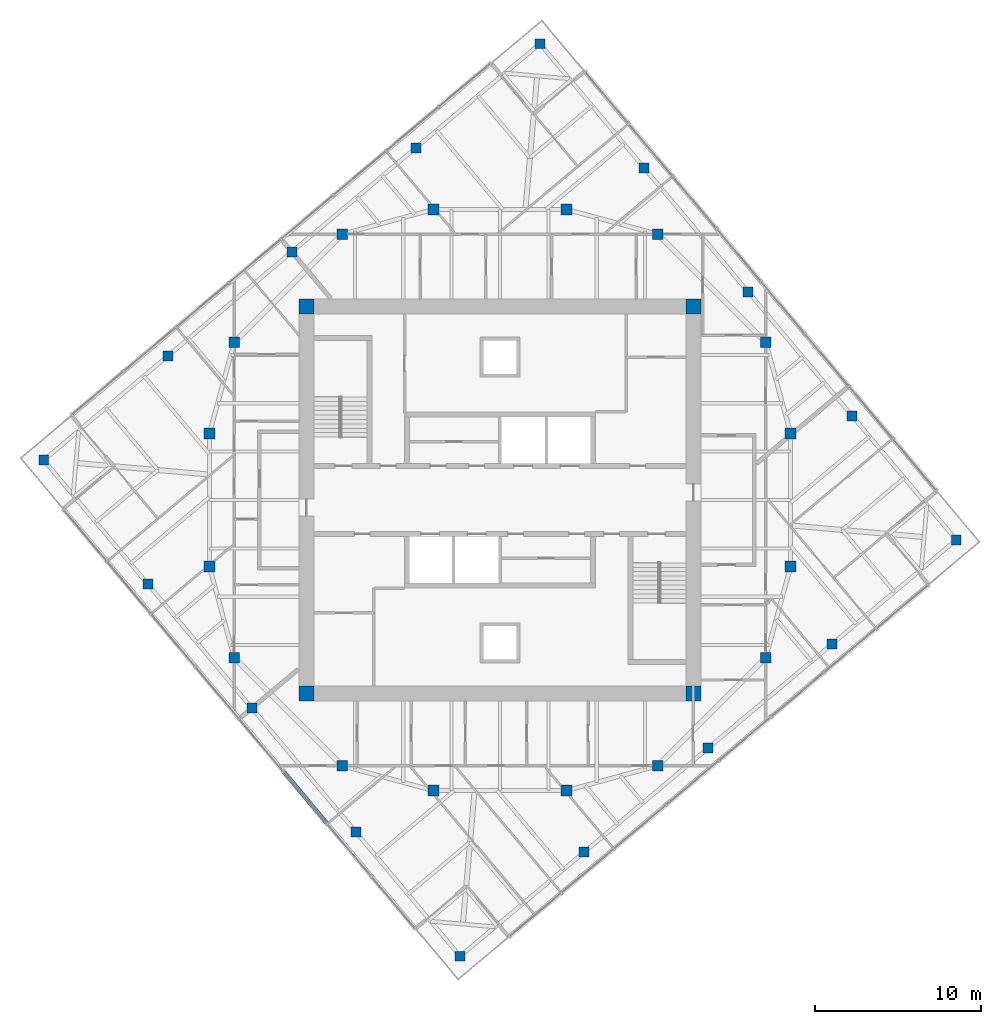
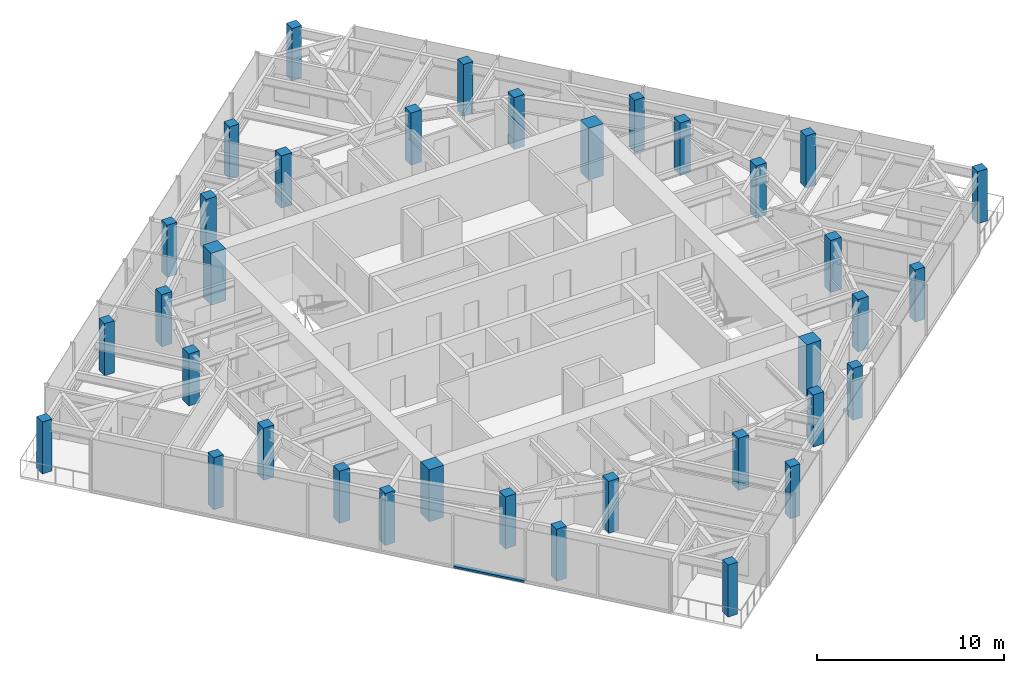
# One storey, part 1 of 12: 36 columns, 1 member, 1 element without a shape of its own.
"""IFC4 building model written with IfcOpenShell, lengths in metres."""

from ifc_helpers import new_model, si_unit, direction, frame, origin, origin_2d, place, context, subcontext, project, spatial, rectangle, extrude, material, material_profile, profile_set, type_object, element, aggregate, save


model = new_model("IFC4")

# Units and contexts
model_context = context("Model", 3, precision=1e-05, world=origin(), true_north=direction((0.0, 1.0)))
body_context = subcontext(model_context, "Body", "Model", "MODEL_VIEW")
ifc_project = project(units=[si_unit("LENGTHUNIT", "METRE"), si_unit("AREAUNIT", "SQUARE_METRE"), si_unit("VOLUMEUNIT", "CUBIC_METRE"), si_unit("PLANEANGLEUNIT", "RADIAN"), si_unit("MASSUNIT", "GRAM", prefix="KILO")], contexts=[model_context])

# Site, building, storey
site_placement = place(None, origin())
site = spatial("IfcSite", under=ifc_project, at=site_placement, CompositionType="ELEMENT")
building_placement = place(site_placement, origin())
building = spatial("IfcBuilding", under=site, at=building_placement, Name="Torsade Residences", CompositionType="ELEMENT")
storey_placement = place(building_placement, frame((0.0, 0.0, 289.60009765625)))
storey = spatial("IfcBuildingStorey", under=building, at=storey_placement, Name="L80", CompositionType="ELEMENT", Elevation=289.60009765625)

# Columns
ifc_material_1 = material(Name="Concrete 80 MPa", Category="concrete")
ifc_material_profile_1 = material_profile(ifc_material_1, rectangle(XDim=0.89990234375, YDim=0.89990234375, at=origin_2d()), Name="RC 900x900")
ifc_profile_set_1 = profile_set([ifc_material_profile_1], Name="Concrete 80 MPa")
column_type_1 = type_object("IfcColumnType", Name="CORE CORNER COLUMN RC 900x900", PredefinedType="COLUMN", material=ifc_profile_set_1)
for number, where, z_axis, x_axis, name in (
    (1, (28.35009765625, 18.35009765625, 0.0), (0.0, 0.0, 1.0), (1.0, 0.0, 0.0), "Core corner column CC1 L80"),
    (2, (51.64990234375, 18.35009765625, 0.0), (0.0, 0.0, 1.0), (1.0, 0.0, 0.0), "Core corner column CC2 L80"),
    (3, (51.64990234375, 41.64990234375, 0.0), (0.0, 0.0, 1.0), (1.0, 0.0, 0.0), "Core corner column CC3 L80"),
    (4, (28.35009765625, 41.64990234375, 0.0), (0.0, 0.0, 1.0), (1.0, 0.0, 0.0), "Core corner column CC4 L80"),
):
    element("IfcColumn", number, at=place(storey_placement, frame(where, z_axis=z_axis, x_axis=x_axis)), inside=storey, type_object=column_type_1, Name=name, PredefinedType="COLUMN", context=body_context, shape_type="SweptSolid", body=[
        extrude(rectangle(XDim=0.89990234375, YDim=0.89990234375, at=origin_2d()), origin(), (0.0, 0.0, 1.0), 3.39990234375),
    ])
ifc_material_2 = material(Name="Concrete 80 MPa", Category="concrete")
ifc_material_profile_2 = material_profile(ifc_material_2, rectangle(XDim=0.64990234375, YDim=0.64990234375, at=origin_2d()), Name="RC 650x650")
ifc_profile_set_2 = profile_set([ifc_material_profile_2], Name="Concrete 80 MPa")
column_type_2 = type_object("IfcColumnType", Name="INNER RING COLUMN RC 650x650", PredefinedType="COLUMN", material=ifc_profile_set_2)
for number, where, z_axis, x_axis, name in (
    (5, (57.5, 26.0, 0.0), (0.0, 0.0, 1.0), (1.0, 0.0, 0.0), "Inner ring column IR01 L80"),
    (6, (57.5, 34.0, 0.0), (0.0, 0.0, 1.0), (1.0, 0.0, 0.0), "Inner ring column IR02 L80"),
    (7, (56.0, 39.5, 0.0), (0.0, 0.0, 1.0), (1.0, 0.0, 0.0), "Inner ring column IR03 L80"),
    (8, (49.5, 46.0, 0.0), (0.0, 0.0, 1.0), (1.0, 0.0, 0.0), "Inner ring column IR04 L80"),
    (9, (44.0, 47.5, 0.0), (0.0, 0.0, 1.0), (1.0, 0.0, 0.0), "Inner ring column IR05 L80"),
    (10, (36.0, 47.5, 0.0), (0.0, 0.0, 1.0), (1.0, 0.0, 0.0), "Inner ring column IR06 L80"),
    (11, (30.5, 46.0, 0.0), (0.0, 0.0, 1.0), (1.0, 0.0, 0.0), "Inner ring column IR07 L80"),
    (12, (24.0, 39.5, 0.0), (0.0, 0.0, 1.0), (1.0, 0.0, 0.0), "Inner ring column IR08 L80"),
    (13, (22.5, 34.0, 0.0), (0.0, 0.0, 1.0), (1.0, 0.0, 0.0), "Inner ring column IR09 L80"),
    (14, (22.5, 26.0, 0.0), (0.0, 0.0, 1.0), (1.0, 0.0, 0.0), "Inner ring column IR10 L80"),
    (15, (24.0, 20.5, 0.0), (0.0, 0.0, 1.0), (1.0, 0.0, 0.0), "Inner ring column IR11 L80"),
    (16, (30.5, 14.0, 0.0), (0.0, 0.0, 1.0), (1.0, 0.0, 0.0), "Inner ring column IR12 L80"),
    (17, (36.0, 12.5, 0.0), (0.0, 0.0, 1.0), (1.0, 0.0, 0.0), "Inner ring column IR13 L80"),
    (18, (44.0, 12.5, 0.0), (0.0, 0.0, 1.0), (1.0, 0.0, 0.0), "Inner ring column IR14 L80"),
    (19, (49.5, 14.0, 0.0), (0.0, 0.0, 1.0), (1.0, 0.0, 0.0), "Inner ring column IR15 L80"),
    (20, (56.0, 20.5, 0.0), (0.0, 0.0, 1.0), (1.0, 0.0, 0.0), "Inner ring column IR16 L80"),
):
    element("IfcColumn", number, at=place(storey_placement, frame(where, z_axis=z_axis, x_axis=x_axis)), inside=storey, type_object=column_type_2, Name=name, PredefinedType="COLUMN", context=body_context, shape_type="SweptSolid", body=[
        extrude(rectangle(XDim=0.64990234375, YDim=0.64990234375, at=origin_2d()), origin(), (0.0, 0.0, 1.0), 3.39990234375),
    ])
ifc_material_3 = material(Name="Concrete 80 MPa", Category="concrete")
ifc_material_profile_3 = material_profile(ifc_material_3, rectangle(XDim=0.60009765625, YDim=0.60009765625, at=origin_2d()), Name="RC 600x600")
ifc_profile_set_3 = profile_set([ifc_material_profile_3], Name="Concrete 80 MPa")
column_type_3 = type_object("IfcColumnType", Name="TOWER COLUMN RC 600x600", PredefinedType="COLUMN", material=ifc_profile_set_3)
for number, where, z_axis, x_axis, name in (
    (21, (37.596435546875, 2.52783203125, 0.0), (0.0, 0.0, 1.0), (1.0, 0.0, 0.0), "Column TC9-01 L80"),
    (22, (45.0654296875, 8.794921875, 0.0), (0.0, 0.0, 1.0), (1.0, 0.0, 0.0), "Column TC9-02 L80"),
    (23, (52.534423828125, 15.06201171875, 0.0), (0.0, 0.0, 1.0), (1.0, 0.0, 0.0), "Column TC9-03 L80"),
    (24, (60.003173828125, 21.329345703125, 0.0), (0.0, 0.0, 1.0), (1.0, 0.0, 0.0), "Column TC9-04 L80"),
    (25, (67.47216796875, 27.596435546875, 0.0), (0.0, 0.0, 1.0), (1.0, 0.0, 0.0), "Column TC9-05 L80"),
    (26, (61.205078125, 35.0654296875, 0.0), (0.0, 0.0, 1.0), (1.0, 0.0, 0.0), "Column TC9-06 L80"),
    (27, (54.93798828125, 42.534423828125, 0.0), (0.0, 0.0, 1.0), (1.0, 0.0, 0.0), "Column TC9-07 L80"),
    (28, (48.670654296875, 50.003173828125, 0.0), (0.0, 0.0, 1.0), (1.0, 0.0, 0.0), "Column TC9-08 L80"),
    (29, (42.403564453125, 57.47216796875, 0.0), (0.0, 0.0, 1.0), (1.0, 0.0, 0.0), "Column TC9-09 L80"),
    (30, (34.9345703125, 51.205078125, 0.0), (0.0, 0.0, 1.0), (1.0, 0.0, 0.0), "Column TC9-10 L80"),
    (31, (27.465576171875, 44.93798828125, 0.0), (0.0, 0.0, 1.0), (1.0, 0.0, 0.0), "Column TC9-11 L80"),
    (32, (19.996826171875, 38.670654296875, 0.0), (0.0, 0.0, 1.0), (1.0, 0.0, 0.0), "Column TC9-12 L80"),
    (33, (12.52783203125, 32.403564453125, 0.0), (0.0, 0.0, 1.0), (1.0, 0.0, 0.0), "Column TC9-13 L80"),
    (34, (18.794921875, 24.9345703125, 0.0), (0.0, 0.0, 1.0), (1.0, 0.0, 0.0), "Column TC9-14 L80"),
    (35, (25.06201171875, 17.465576171875, 0.0), (0.0, 0.0, 1.0), (1.0, 0.0, 0.0), "Column TC9-15 L80"),
    (36, (31.329345703125, 9.996826171875, 0.0), (0.0, 0.0, 1.0), (1.0, 0.0, 0.0), "Column TC9-16 L80"),
):
    element("IfcColumn", number, at=place(storey_placement, frame(where, z_axis=z_axis, x_axis=x_axis)), inside=storey, type_object=column_type_3, Name=name, PredefinedType="COLUMN", context=body_context, shape_type="SweptSolid", body=[
        extrude(rectangle(XDim=0.60009765625, YDim=0.60009765625, at=origin_2d()), origin(), (0.0, 0.0, 1.0), 3.39990234375),
    ])

# Curtain wall, member
ifc_material_4 = material(Name="Aluminium and glass", Category="aluminium")
curtain_wall_type = type_object("IfcCurtainWallType", Name="FRITTED GLASS CURTAIN WALL HIGH ZONE", PredefinedType="NOTDEFINED", material=ifc_material_4)
curtain_wall_placement = place(storey_placement, origin())
curtain_wall = element("IfcCurtainWall", 37, at=curtain_wall_placement, inside=storey, type_object=curtain_wall_type, Name="Curtain wall L80 face 10", PredefinedType="NOTDEFINED")
ifc_material_5 = material(Name="Aluminium transom", Category="aluminium")
ifc_material_profile_4 = material_profile(ifc_material_5, rectangle(XDim=0.25, YDim=0.1201171875, at=origin_2d()), Name="HIGH ZONE CURTAIN WALL TRANSOM 250x120")
ifc_profile_set_4 = profile_set([ifc_material_profile_4], Name="Aluminium transom")
member_type = type_object("IfcMemberType", Name="HIGH ZONE CURTAIN WALL TRANSOM 250x120", PredefinedType="USERDEFINED", material=ifc_profile_set_4)
member_placement = place(storey_placement, frame((26.979736328125, 13.62451171875, 0.059814453125), z_axis=(0.642787992616, -0.766044121803, 0.0), x_axis=(0.766044121803, 0.642787992616, 0.0)))
member = element("IfcMember", 38, at=member_placement, type_object=member_type, Name="Transom 6.1", ObjectType="TRANSOM", PredefinedType="USERDEFINED", context=body_context, shape_type="SweptSolid", body=[
    extrude(rectangle(XDim=0.25, YDim=0.1201171875, at=origin_2d()), origin(), (0.0, 0.0, 1.0), 4.02490234375),
])
aggregate(curtain_wall, [member])

save(model, "model.ifc")
